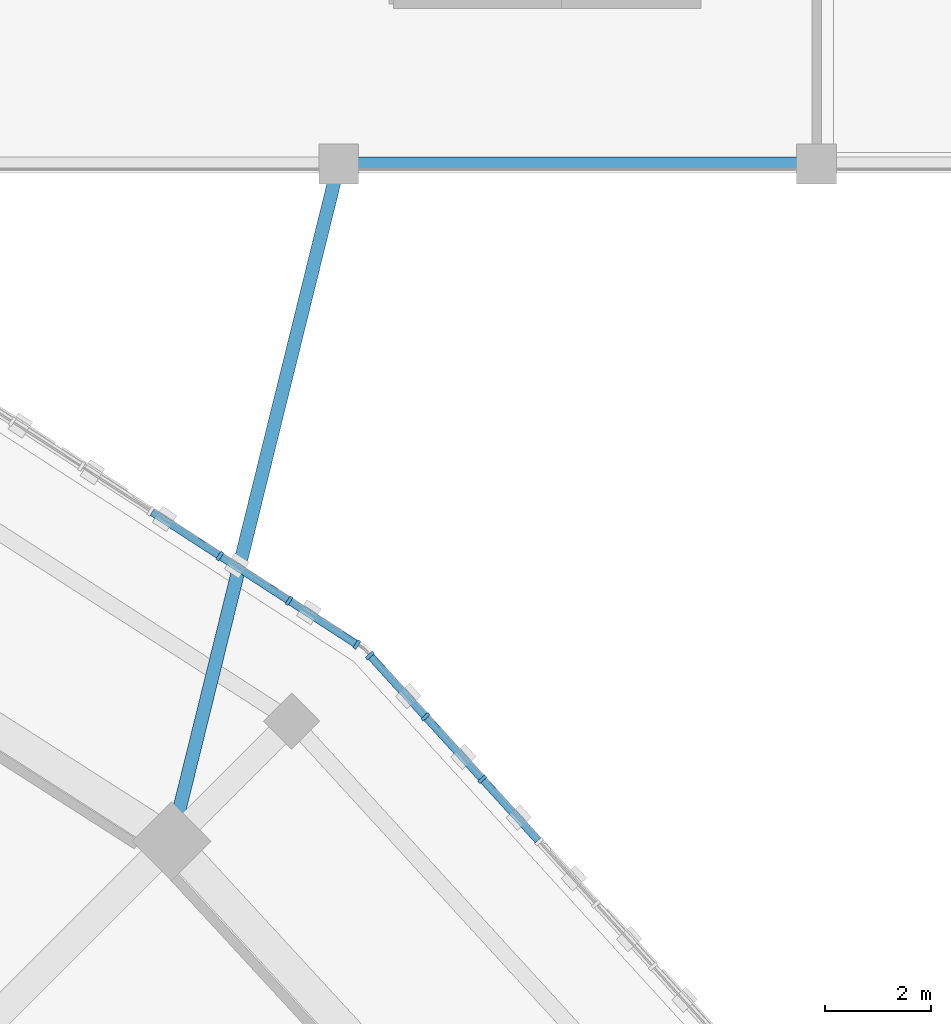
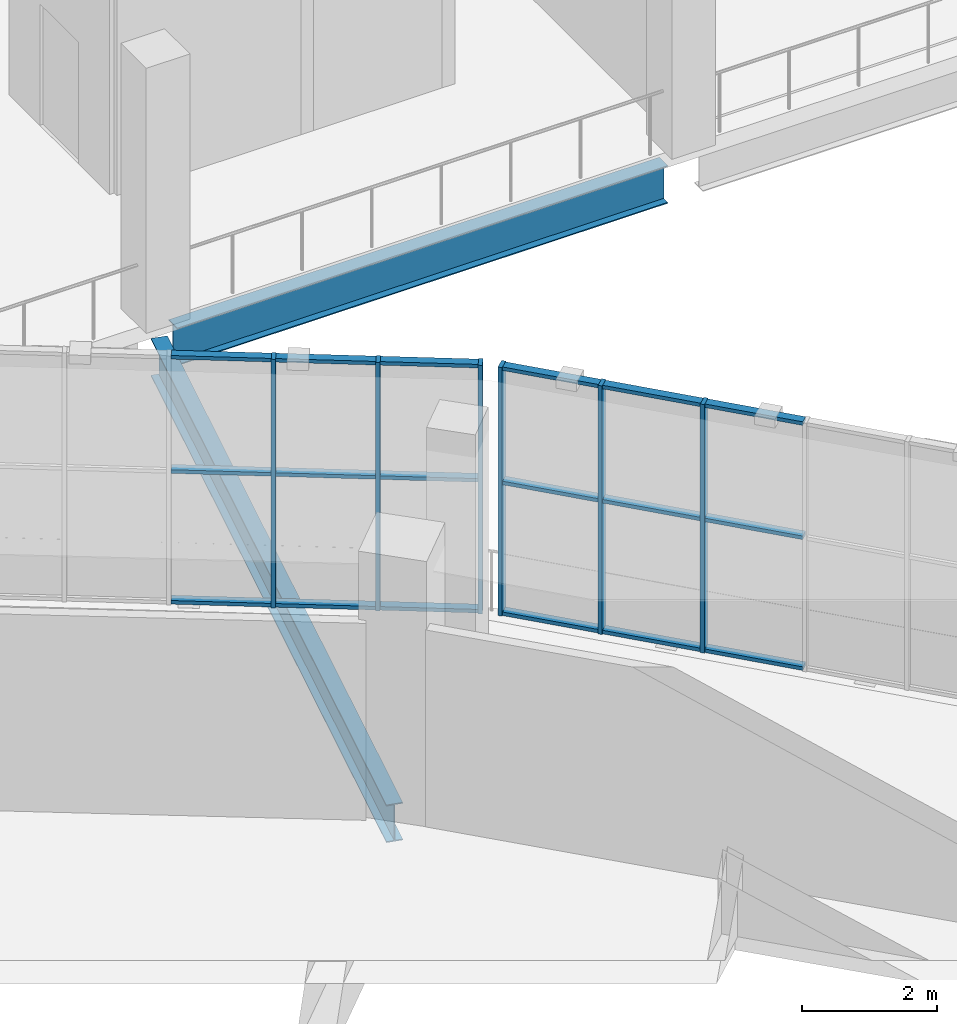
# One storey, part 66 of 179: 24 members, 2 beams, 2 elements without a shape of their own.
"""IFC4 building model written with IfcOpenShell, lengths in metres."""

from ifc_helpers import new_model, si_unit, direction, frame, origin, origin_2d, place, context, subcontext, project, spatial, rectangle, i_section, extrude, material, material_profile, profile_set, type_object, element, aggregate, save


model = new_model("IFC4")

# Units and contexts
model_context = context("Model", 3, precision=1e-05, world=origin(), true_north=direction((0.0, 1.0)))
body_context = subcontext(model_context, "Body", "Model", "MODEL_VIEW")
ifc_project = project(units=[si_unit("LENGTHUNIT", "METRE"), si_unit("AREAUNIT", "SQUARE_METRE"), si_unit("VOLUMEUNIT", "CUBIC_METRE"), si_unit("PLANEANGLEUNIT", "RADIAN"), si_unit("MASSUNIT", "GRAM", prefix="KILO")], contexts=[model_context])

# Site, building, storey
site_placement = place(None, origin())
site = spatial("IfcSite", under=ifc_project, at=site_placement, CompositionType="ELEMENT")
building_placement = place(site_placement, origin())
building = spatial("IfcBuilding", under=site, at=building_placement, Name="Zevraka Park Crest Stadium", CompositionType="ELEMENT")
storey_placement = place(building_placement, frame((0.0, 0.0, 10.199951171875)))
storey = spatial("IfcBuildingStorey", under=building, at=storey_placement, Name="L02", CompositionType="ELEMENT", Elevation=10.199951171875)

# Beams
ifc_material_1 = material(Name="Steel S355", Category="steel")
ifc_material_profile_1 = material_profile(ifc_material_1, i_section(OverallWidth=0.253662109375, OverallDepth=0.68359375, WebThickness=0.012451171875, FlangeThickness=0.01904296875, at=origin_2d()), Name="UKB 686x254x140")
ifc_profile_set_1 = profile_set([ifc_material_profile_1], Name="Steel S355")
beam_type = type_object("IfcBeamType", Name="BG05", PredefinedType="BEAM", material=ifc_profile_set_1)
beam_1_placement = place(storey_placement, frame((179.300048828125, 158.0, -0.629638671875), z_axis=(1.0, 0.0, 0.0), x_axis=(0.0, 1.0, 0.0)))
element("IfcBeam", 1, at=beam_1_placement, inside=storey, type_object=beam_type, Name="Wing Girder BG05 L02-2021/T", PredefinedType="BEAM", context=body_context, shape_type="SweptSolid", body=[
    extrude(i_section(OverallWidth=0.253662109375, OverallDepth=0.68359375, WebThickness=0.012451171875, FlangeThickness=0.01904296875, at=origin_2d()), origin(), (0.0, 0.0, 1.0), 8.39990234375),
])
beam_2_placement = place(storey_placement, frame((178.951904296875, 157.805908203125, -0.629638671875), z_axis=(-0.23959769566, -0.970872259483, 0.0), x_axis=(0.970872259483, -0.23959769566, 0.0)))
element("IfcBeam", 2, at=beam_2_placement, inside=storey, type_object=beam_type, Name="Wing Link Girder BG05 L02-20/T", PredefinedType="BEAM", context=body_context, shape_type="SweptSolid", body=[
    extrude(i_section(OverallWidth=0.253662109375, OverallDepth=0.68359375, WebThickness=0.012451171875, FlangeThickness=0.01904296875, at=origin_2d()), origin(), (0.0, 0.0, 1.0), 12.5576171875),
])

# Curtain wall, members
ifc_material_2 = material(Name="Anodised architectural aluminium and laminated safety glass", Category="aluminium")
curtain_wall_type = type_object("IfcCurtainWallType", Name="CW08", PredefinedType="NOTDEFINED", material=ifc_material_2)
curtain_wall_1_placement = place(storey_placement, origin())
curtain_wall_1 = element("IfcCurtainWall", 3, at=curtain_wall_1_placement, inside=storey, type_object=curtain_wall_type, Name="Unitised Ring Curtain Wall CW08 L02-02", PredefinedType="NOTDEFINED")
ifc_material_3 = material(Name="Anodised architectural aluminium", Category="aluminium")
ifc_material_profile_2 = material_profile(ifc_material_3, rectangle(XDim=0.179931640625, YDim=0.06494140625, at=origin_2d()), Name="ALU MULLION 180x65")
ifc_profile_set_2 = profile_set([ifc_material_profile_2], Name="Anodised architectural aluminium")
member_type_1 = type_object("IfcMemberType", Name="CM02", PredefinedType="MULLION", material=ifc_profile_set_2)
member_1_placement = place(storey_placement, frame((181.705078125, 146.412841796875, 0.0), z_axis=(0.0, 0.0, 1.0), x_axis=(-0.739496877097, -0.673159987494, 0.0)))
member_1 = element("IfcMember", 4, at=member_1_placement, type_object=member_type_1, Name="CW08 mullion 13", PredefinedType="MULLION", context=body_context, shape_type="SweptSolid", body=[
    extrude(rectangle(XDim=0.179931640625, YDim=0.06494140625, at=origin_2d()), origin(), (0.0, 0.0, 1.0), 4.5),
])
member_2_placement = place(storey_placement, frame((180.634521484375, 147.5888671875, 0.0), z_axis=(0.0, 0.0, 1.0), x_axis=(-0.739496877097, -0.673159987494, 0.0)))
member_2 = element("IfcMember", 5, at=member_2_placement, type_object=member_type_1, Name="CW08 mullion 14", PredefinedType="MULLION", context=body_context, shape_type="SweptSolid", body=[
    extrude(rectangle(XDim=0.179931640625, YDim=0.06494140625, at=origin_2d()), origin(), (0.0, 0.0, 1.0), 4.5),
])
member_3_placement = place(storey_placement, frame((179.5859375, 148.740966796875, 0.0), z_axis=(0.0, 0.0, 1.0), x_axis=(-0.739496877097, -0.673159987494, 0.0)))
member_3 = element("IfcMember", 6, at=member_3_placement, type_object=member_type_1, Name="CW08 mullion 15", PredefinedType="MULLION", context=body_context, shape_type="SweptSolid", body=[
    extrude(rectangle(XDim=0.179931640625, YDim=0.06494140625, at=origin_2d()), origin(), (0.0, 0.0, 1.0), 4.5),
])

curtain_wall_2_placement = place(storey_placement, origin())
curtain_wall_2 = element("IfcCurtainWall", 7, at=curtain_wall_2_placement, inside=storey, type_object=curtain_wall_type, Name="Unitised Ring Curtain Wall CW08 L02-03", PredefinedType="NOTDEFINED")
member_4_placement = place(storey_placement, frame((179.3408203125, 148.94873046875, 0.0), z_axis=(0.0, 0.0, 1.0), x_axis=(-0.543096287444, -0.839670424967, 0.0)))
member_4 = element("IfcMember", 8, at=member_4_placement, type_object=member_type_1, Name="CW08 mullion 1", PredefinedType="MULLION", context=body_context, shape_type="SweptSolid", body=[
    extrude(rectangle(XDim=0.179931640625, YDim=0.06494140625, at=origin_2d()), origin(), (0.0, 0.0, 1.0), 4.5),
])
member_5_placement = place(storey_placement, frame((178.065185546875, 149.773681640625, 0.0), z_axis=(0.0, 0.0, 1.0), x_axis=(-0.543096287444, -0.839670424967, 0.0)))
member_5 = element("IfcMember", 9, at=member_5_placement, type_object=member_type_1, Name="CW08 mullion 2", PredefinedType="MULLION", context=body_context, shape_type="SweptSolid", body=[
    extrude(rectangle(XDim=0.179931640625, YDim=0.06494140625, at=origin_2d()), origin(), (0.0, 0.0, 1.0), 4.5),
])
member_6_placement = place(storey_placement, frame((176.76220703125, 150.616455078125, 0.0), z_axis=(0.0, 0.0, 1.0), x_axis=(-0.543096287444, -0.839670424967, 0.0)))
member_6 = element("IfcMember", 10, at=member_6_placement, type_object=member_type_1, Name="CW08 mullion 3", PredefinedType="MULLION", context=body_context, shape_type="SweptSolid", body=[
    extrude(rectangle(XDim=0.179931640625, YDim=0.06494140625, at=origin_2d()), origin(), (0.0, 0.0, 1.0), 4.5),
])

# Member
ifc_material_4 = material(Name="Anodised architectural aluminium", Category="aluminium")
ifc_material_profile_3 = material_profile(ifc_material_4, rectangle(XDim=0.139892578125, YDim=0.06494140625, at=origin_2d()), Name="ALU TRANSOM 140x65")
ifc_profile_set_3 = profile_set([ifc_material_profile_3], Name="Anodised architectural aluminium")
member_type_2 = type_object("IfcMemberType", Name="CT02", PredefinedType="USERDEFINED", material=ifc_profile_set_3)
member_7_placement = place(storey_placement, frame((182.75390625, 145.2607421875, 0.032470703125), z_axis=(-0.673118749814, 0.739534413431, 0.0), x_axis=(-0.739534413431, -0.673118749814, 0.0)))
member_7 = element("IfcMember", 11, at=member_7_placement, type_object=member_type_2, Name="CW08 transom 12.1", ObjectType="TRANSOM", PredefinedType="USERDEFINED", context=body_context, shape_type="SweptSolid", body=[
    extrude(rectangle(XDim=0.139892578125, YDim=0.06494140625, at=origin_2d()), origin(), (0.0, 0.0, 1.0), 1.525634765625),
])

member_8_placement = place(storey_placement, frame((182.75390625, 145.2607421875, 2.400146484375), z_axis=(-0.673118749814, 0.739534413431, 0.0), x_axis=(-0.739534413431, -0.673118749814, 0.0)))
member_8 = element("IfcMember", 12, at=member_8_placement, type_object=member_type_2, Name="CW08 transom 12.2", ObjectType="TRANSOM", PredefinedType="USERDEFINED", context=body_context, shape_type="SweptSolid", body=[
    extrude(rectangle(XDim=0.139892578125, YDim=0.06494140625, at=origin_2d()), origin(), (0.0, 0.0, 1.0), 1.525634765625),
])

member_9_placement = place(storey_placement, frame((182.75390625, 145.2607421875, 4.467529296875), z_axis=(-0.673118749814, 0.739534413431, 0.0), x_axis=(-0.739534413431, -0.673118749814, 0.0)))
member_9 = element("IfcMember", 13, at=member_9_placement, type_object=member_type_2, Name="CW08 transom 12.3", ObjectType="TRANSOM", PredefinedType="USERDEFINED", context=body_context, shape_type="SweptSolid", body=[
    extrude(rectangle(XDim=0.139892578125, YDim=0.06494140625, at=origin_2d()), origin(), (0.0, 0.0, 1.0), 1.525634765625),
])

member_10_placement = place(storey_placement, frame((181.683349609375, 146.43701171875, 0.032470703125), z_axis=(-0.673198421242, 0.739461889239, 0.0), x_axis=(-0.739461889239, -0.673198421242, 0.0)))
member_10 = element("IfcMember", 14, at=member_10_placement, type_object=member_type_2, Name="CW08 transom 13.1", ObjectType="TRANSOM", PredefinedType="USERDEFINED", context=body_context, shape_type="SweptSolid", body=[
    extrude(rectangle(XDim=0.139892578125, YDim=0.06494140625, at=origin_2d()), origin(), (0.0, 0.0, 1.0), 1.525390625),
])

member_11_placement = place(storey_placement, frame((181.683349609375, 146.43701171875, 2.400146484375), z_axis=(-0.673198421242, 0.739461889239, 0.0), x_axis=(-0.739461889239, -0.673198421242, 0.0)))
member_11 = element("IfcMember", 15, at=member_11_placement, type_object=member_type_2, Name="CW08 transom 13.2", ObjectType="TRANSOM", PredefinedType="USERDEFINED", context=body_context, shape_type="SweptSolid", body=[
    extrude(rectangle(XDim=0.139892578125, YDim=0.06494140625, at=origin_2d()), origin(), (0.0, 0.0, 1.0), 1.525390625),
])

member_12_placement = place(storey_placement, frame((181.683349609375, 146.43701171875, 4.467529296875), z_axis=(-0.673198421242, 0.739461889239, 0.0), x_axis=(-0.739461889239, -0.673198421242, 0.0)))
member_12 = element("IfcMember", 16, at=member_12_placement, type_object=member_type_2, Name="CW08 transom 13.3", ObjectType="TRANSOM", PredefinedType="USERDEFINED", context=body_context, shape_type="SweptSolid", body=[
    extrude(rectangle(XDim=0.139892578125, YDim=0.06494140625, at=origin_2d()), origin(), (0.0, 0.0, 1.0), 1.525390625),
])

member_13_placement = place(storey_placement, frame((180.61279296875, 147.613037109375, 0.032470703125), z_axis=(-0.673217929556, 0.739444128602, 0.0), x_axis=(-0.739444128602, -0.673217929556, 0.0)))
member_13 = element("IfcMember", 17, at=member_13_placement, type_object=member_type_2, Name="CW08 transom 14.1", ObjectType="TRANSOM", PredefinedType="USERDEFINED", context=body_context, shape_type="SweptSolid", body=[
    extrude(rectangle(XDim=0.139892578125, YDim=0.06494140625, at=origin_2d()), origin(), (0.0, 0.0, 1.0), 1.492919921875),
])

member_14_placement = place(storey_placement, frame((180.61279296875, 147.613037109375, 2.400146484375), z_axis=(-0.673217929556, 0.739444128602, 0.0), x_axis=(-0.739444128602, -0.673217929556, 0.0)))
member_14 = element("IfcMember", 18, at=member_14_placement, type_object=member_type_2, Name="CW08 transom 14.2", ObjectType="TRANSOM", PredefinedType="USERDEFINED", context=body_context, shape_type="SweptSolid", body=[
    extrude(rectangle(XDim=0.139892578125, YDim=0.06494140625, at=origin_2d()), origin(), (0.0, 0.0, 1.0), 1.492919921875),
])

member_15_placement = place(storey_placement, frame((180.61279296875, 147.613037109375, 4.467529296875), z_axis=(-0.673217929556, 0.739444128602, 0.0), x_axis=(-0.739444128602, -0.673217929556, 0.0)))
member_15 = element("IfcMember", 19, at=member_15_placement, type_object=member_type_2, Name="CW08 transom 14.3", ObjectType="TRANSOM", PredefinedType="USERDEFINED", context=body_context, shape_type="SweptSolid", body=[
    extrude(rectangle(XDim=0.139892578125, YDim=0.06494140625, at=origin_2d()), origin(), (0.0, 0.0, 1.0), 1.492919921875),
])

aggregate(curtain_wall_1, [member_1, member_2, member_3, member_7, member_8, member_9, member_10, member_11, member_12, member_13, member_14, member_15])

member_16_placement = place(storey_placement, frame((179.3134765625, 148.96630859375, 0.032470703125), z_axis=(-0.839691740377, 0.543063330692, 0.0), x_axis=(-0.543063330692, -0.839691740377, 0.0)))
member_16 = element("IfcMember", 20, at=member_16_placement, type_object=member_type_2, Name="CW08 transom 1.1", ObjectType="TRANSOM", PredefinedType="USERDEFINED", context=body_context, shape_type="SweptSolid", body=[
    extrude(rectangle(XDim=0.139892578125, YDim=0.06494140625, at=origin_2d()), origin(), (0.0, 0.0, 1.0), 1.454345703125),
])

member_17_placement = place(storey_placement, frame((179.3134765625, 148.96630859375, 2.400146484375), z_axis=(-0.839691740377, 0.543063330692, 0.0), x_axis=(-0.543063330692, -0.839691740377, 0.0)))
member_17 = element("IfcMember", 21, at=member_17_placement, type_object=member_type_2, Name="CW08 transom 1.2", ObjectType="TRANSOM", PredefinedType="USERDEFINED", context=body_context, shape_type="SweptSolid", body=[
    extrude(rectangle(XDim=0.139892578125, YDim=0.06494140625, at=origin_2d()), origin(), (0.0, 0.0, 1.0), 1.454345703125),
])

member_18_placement = place(storey_placement, frame((179.3134765625, 148.96630859375, 4.467529296875), z_axis=(-0.839691740377, 0.543063330692, 0.0), x_axis=(-0.543063330692, -0.839691740377, 0.0)))
member_18 = element("IfcMember", 22, at=member_18_placement, type_object=member_type_2, Name="CW08 transom 1.3", ObjectType="TRANSOM", PredefinedType="USERDEFINED", context=body_context, shape_type="SweptSolid", body=[
    extrude(rectangle(XDim=0.139892578125, YDim=0.06494140625, at=origin_2d()), origin(), (0.0, 0.0, 1.0), 1.454345703125),
])

member_19_placement = place(storey_placement, frame((178.037841796875, 149.79150390625, 0.032470703125), z_axis=(-0.839724312152, 0.543012964468, 0.0), x_axis=(-0.543012964468, -0.839724312152, 0.0)))
member_19 = element("IfcMember", 23, at=member_19_placement, type_object=member_type_2, Name="CW08 transom 2.1", ObjectType="TRANSOM", PredefinedType="USERDEFINED", context=body_context, shape_type="SweptSolid", body=[
    extrude(rectangle(XDim=0.139892578125, YDim=0.06494140625, at=origin_2d()), origin(), (0.0, 0.0, 1.0), 1.48681640625),
])

member_20_placement = place(storey_placement, frame((178.037841796875, 149.79150390625, 2.400146484375), z_axis=(-0.839724312152, 0.543012964468, 0.0), x_axis=(-0.543012964468, -0.839724312152, 0.0)))
member_20 = element("IfcMember", 24, at=member_20_placement, type_object=member_type_2, Name="CW08 transom 2.2", ObjectType="TRANSOM", PredefinedType="USERDEFINED", context=body_context, shape_type="SweptSolid", body=[
    extrude(rectangle(XDim=0.139892578125, YDim=0.06494140625, at=origin_2d()), origin(), (0.0, 0.0, 1.0), 1.48681640625),
])

member_21_placement = place(storey_placement, frame((178.037841796875, 149.79150390625, 4.467529296875), z_axis=(-0.839724312152, 0.543012964468, 0.0), x_axis=(-0.543012964468, -0.839724312152, 0.0)))
member_21 = element("IfcMember", 25, at=member_21_placement, type_object=member_type_2, Name="CW08 transom 2.3", ObjectType="TRANSOM", PredefinedType="USERDEFINED", context=body_context, shape_type="SweptSolid", body=[
    extrude(rectangle(XDim=0.139892578125, YDim=0.06494140625, at=origin_2d()), origin(), (0.0, 0.0, 1.0), 1.48681640625),
])

member_22_placement = place(storey_placement, frame((176.73486328125, 150.634033203125, 0.032470703125), z_axis=(-0.839600995064, 0.543203616599, 0.0), x_axis=(-0.543203616599, -0.839600995064, 0.0)))
member_22 = element("IfcMember", 26, at=member_22_placement, type_object=member_type_2, Name="CW08 transom 3.1", ObjectType="TRANSOM", PredefinedType="USERDEFINED", context=body_context, shape_type="SweptSolid", body=[
    extrude(rectangle(XDim=0.139892578125, YDim=0.06494140625, at=origin_2d()), origin(), (0.0, 0.0, 1.0), 1.48681640625),
])

member_23_placement = place(storey_placement, frame((176.73486328125, 150.634033203125, 2.400146484375), z_axis=(-0.839600995064, 0.543203616599, 0.0), x_axis=(-0.543203616599, -0.839600995064, 0.0)))
member_23 = element("IfcMember", 27, at=member_23_placement, type_object=member_type_2, Name="CW08 transom 3.2", ObjectType="TRANSOM", PredefinedType="USERDEFINED", context=body_context, shape_type="SweptSolid", body=[
    extrude(rectangle(XDim=0.139892578125, YDim=0.06494140625, at=origin_2d()), origin(), (0.0, 0.0, 1.0), 1.48681640625),
])

member_24_placement = place(storey_placement, frame((176.73486328125, 150.634033203125, 4.467529296875), z_axis=(-0.839600995064, 0.543203616599, 0.0), x_axis=(-0.543203616599, -0.839600995064, 0.0)))
member_24 = element("IfcMember", 28, at=member_24_placement, type_object=member_type_2, Name="CW08 transom 3.3", ObjectType="TRANSOM", PredefinedType="USERDEFINED", context=body_context, shape_type="SweptSolid", body=[
    extrude(rectangle(XDim=0.139892578125, YDim=0.06494140625, at=origin_2d()), origin(), (0.0, 0.0, 1.0), 1.48681640625),
])

aggregate(curtain_wall_2, [member_4, member_5, member_6, member_16, member_17, member_18, member_19, member_20, member_21, member_22, member_23, member_24])

save(model, "model.ifc")
